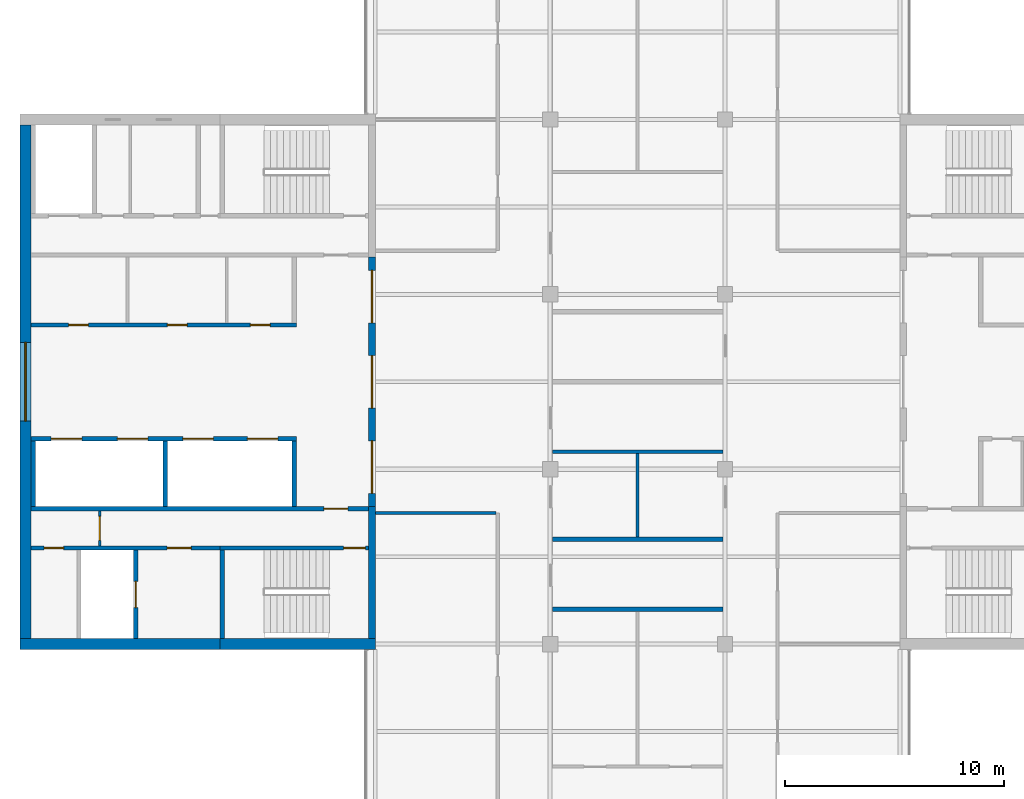
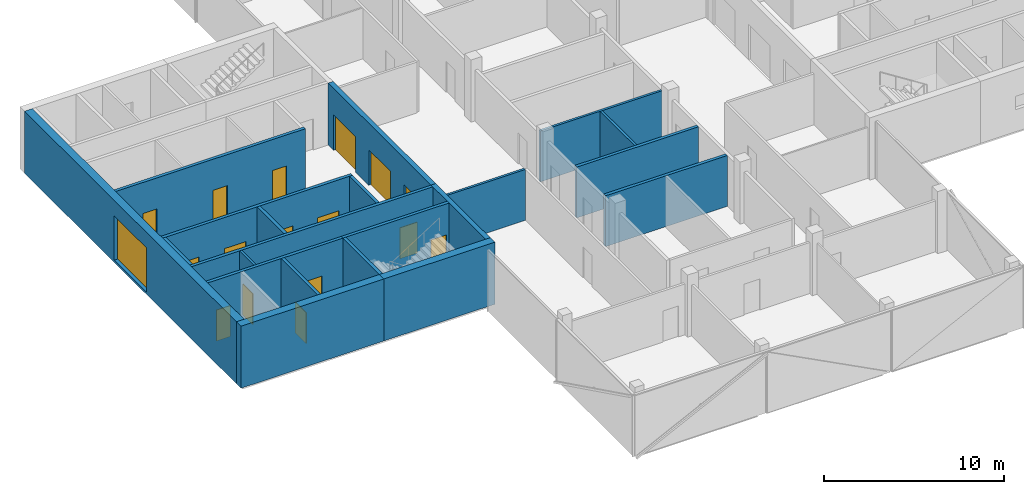
# One storey, part 9 of 16: 21 walls, 16 doors, 1 window, 17 openings.
"""IFC4 building model written with IfcOpenShell, lengths in metres."""

from ifc_helpers import new_model, si_unit, direction, frame, frame_2d, origin, place, context, subcontext, project, spatial, rectangle, extrude, material, layer, layer_set, constituent, constituent_set, type_object, element, fill, save


model = new_model("IFC4")

# Units and contexts
model_context = context("Model", 3, precision=1e-05, world=origin(), true_north=direction((0.0, 1.0)))
body_context = subcontext(model_context, "Body", "Model", "MODEL_VIEW")
ifc_project = project(units=[si_unit("LENGTHUNIT", "METRE"), si_unit("AREAUNIT", "SQUARE_METRE"), si_unit("VOLUMEUNIT", "CUBIC_METRE"), si_unit("PLANEANGLEUNIT", "RADIAN"), si_unit("MASSUNIT", "GRAM", prefix="KILO")], contexts=[model_context])

# Site, building, storey
site_placement = place(None, origin())
site = spatial("IfcSite", under=ifc_project, at=site_placement, CompositionType="ELEMENT")
building_placement = place(site_placement, origin())
building = spatial("IfcBuilding", under=site, at=building_placement, Name="Crosswind Convention Tower", CompositionType="ELEMENT")
storey_placement = place(building_placement, frame((0.0, 0.0, 249.300048828125)))
storey = spatial("IfcBuildingStorey", under=building, at=storey_placement, Name="L53", CompositionType="ELEMENT", Elevation=249.300048828125)

# Walls
ifc_material_1 = material(Name="Concrete blockwork", Category="masonry")
ifc_layer_1 = layer(ifc_material_1, 0.199951171875)
ifc_layer_set_1 = layer_set([ifc_layer_1], Name="COMPARTMENT WALL 200 BLOCKWORK")
wall_type_1 = type_object("IfcWallType", Name="COMPARTMENT WALL 200 BLOCKWORK", PredefinedType="SOLIDWALL", material=ifc_layer_set_1)
for number, where, z_axis, x_axis, name in (
    (1, (121.10009765625, 89.60009765625, 0.0), (0.0, 0.0, 1.0), (1.0, 0.0, 0.0), "Compartment wall WT42"),
    (2, (121.10009765625, 92.800048828125, 0.0), (0.0, 0.0, 1.0), (1.0, 0.0, 0.0), "Compartment wall WT42"),
):
    element("IfcWall", number, at=place(storey_placement, frame(where, z_axis=z_axis, x_axis=x_axis)), inside=storey, type_object=wall_type_1, Name=name, PredefinedType="SOLIDWALL", context=body_context, shape_type="SweptSolid", body=[
        extrude(rectangle(XDim=7.7998046875, YDim=0.199951171875, at=frame_2d((3.89990234375, 0.0))), origin(), (0.0, 0.0, 1.0), 3.44287109375),
    ])

# Wall, openings, doors
ifc_material_2 = material(Name="Concrete C50/60", Category="concrete")
ifc_layer_2 = layer(ifc_material_2, 0.300048828125)
ifc_layer_set_2 = layer_set([ifc_layer_2], Name="Concrete C50/60")
wall_type_2 = type_object("IfcWallType", Name="Concrete inner core wall 300", PredefinedType="SHEAR", material=ifc_layer_set_2)
wall_1_placement = place(storey_placement, frame((112.85009765625, 105.699951171875, 0.0), z_axis=(0.0, 0.0, 1.0), x_axis=(0.0, -1.0, 0.0)))
wall_1 = element("IfcWall", 3, at=wall_1_placement, inside=storey, type_object=wall_type_2, Name="Wall SCR W L53", PredefinedType="SHEAR", context=body_context, shape_type="SweptSolid", body=[
    extrude(rectangle(XDim=11.39990234375, YDim=0.300048828125, at=frame_2d((5.699951171875, 0.0))), origin(), (0.0, 0.0, 1.0), 4.199951171875),
])
opening_1_placement = place(wall_1_placement, frame((0.60009765625, 0.0, 0.0)))
opening_1 = element("IfcOpeningElement", 4, at=opening_1_placement, cuts=wall_1, Name="Opening D100", PredefinedType="OPENING", context=body_context, shape_type="SweptSolid", body=[
    extrude(rectangle(XDim=2.39990234375, YDim=2.39990234375, at=frame_2d((1.199951171875, 1.199951171875))), frame((0.0, 0.159912109375, 0.0), z_axis=(0.0, -1.0, 0.0), x_axis=(1.0, 0.0, 0.0)), (0.0, 0.0, 1.0), 0.320068359375),
])
opening_2_placement = place(wall_1_placement, frame((4.5, 0.0, 0.0)))
opening_2 = element("IfcOpeningElement", 5, at=opening_2_placement, cuts=wall_1, Name="Opening D100", PredefinedType="OPENING", context=body_context, shape_type="SweptSolid", body=[
    extrude(rectangle(XDim=2.39990234375, YDim=2.39990234375, at=frame_2d((1.199951171875, 1.199951171875))), frame((0.0, 0.159912109375, 0.0), z_axis=(0.0, -1.0, 0.0), x_axis=(1.0, 0.0, 0.0)), (0.0, 0.0, 1.0), 0.320068359375),
])
opening_3_placement = place(wall_1_placement, frame((8.39990234375, 0.0, 0.0)))
opening_3 = element("IfcOpeningElement", 6, at=opening_3_placement, cuts=wall_1, Name="Opening D100", PredefinedType="OPENING", context=body_context, shape_type="SweptSolid", body=[
    extrude(rectangle(XDim=2.39990234375, YDim=2.39990234375, at=frame_2d((1.199951171875, 1.199951171875))), frame((0.0, 0.159912109375, 0.0), z_axis=(0.0, -1.0, 0.0), x_axis=(1.0, 0.0, 0.0)), (0.0, 0.0, 1.0), 0.320068359375),
])
ifc_material_3 = material(Name="Steel fire door with glazed vision panels", Category="steel")
door_type_1 = type_object("IfcDoorType", Name="Fire-rated double door 2400x2400", OperationType="DOUBLE_DOOR_SINGLE_SWING", PredefinedType="DOOR", material=ifc_material_3)
door_1_placement = place(opening_1_placement, origin())
door_1 = element("IfcDoor", 7, at=door_1_placement, inside=storey, type_object=door_type_1, Name="Lobby door 1 L53", ObjectType="D100", OperationType="DOUBLE_DOOR_SINGLE_SWING", OverallHeight=2.39990234375, OverallWidth=2.39990234375, PredefinedType="DOOR", context=body_context, shape_type="SweptSolid", body=[
    extrude(rectangle(XDim=2.39990234375, YDim=2.39990234375, at=frame_2d((1.199951171875, 1.199951171875))), frame((0.0, 0.02490234375, 0.0), z_axis=(0.0, -1.0, 0.0), x_axis=(1.0, 0.0, 0.0)), (0.0, 0.0, 1.0), 0.050048828125),
])
fill(opening_1, door_1)
door_2_placement = place(opening_2_placement, origin())
door_2 = element("IfcDoor", 8, at=door_2_placement, inside=storey, type_object=door_type_1, Name="Lobby door 2 L53", ObjectType="D100", OperationType="DOUBLE_DOOR_SINGLE_SWING", OverallHeight=2.39990234375, OverallWidth=2.39990234375, PredefinedType="DOOR", context=body_context, shape_type="SweptSolid", body=[
    extrude(rectangle(XDim=2.39990234375, YDim=2.39990234375, at=frame_2d((1.199951171875, 1.199951171875))), frame((0.0, 0.02490234375, 0.0), z_axis=(0.0, -1.0, 0.0), x_axis=(1.0, 0.0, 0.0)), (0.0, 0.0, 1.0), 0.050048828125),
])
fill(opening_2, door_2)
door_3_placement = place(opening_3_placement, origin())
door_3 = element("IfcDoor", 9, at=door_3_placement, inside=storey, type_object=door_type_1, Name="Lobby door 3 L53", ObjectType="D100", OperationType="DOUBLE_DOOR_SINGLE_SWING", OverallHeight=2.39990234375, OverallWidth=2.39990234375, PredefinedType="DOOR", context=body_context, shape_type="SweptSolid", body=[
    extrude(rectangle(XDim=2.39990234375, YDim=2.39990234375, at=frame_2d((1.199951171875, 1.199951171875))), frame((0.0, 0.02490234375, 0.0), z_axis=(0.0, -1.0, 0.0), x_axis=(1.0, 0.0, 0.0)), (0.0, 0.0, 1.0), 0.050048828125),
])
fill(opening_3, door_3)

# Walls
wall_2_placement = place(storey_placement, frame((112.85009765625, 94.300048828125, 0.0), z_axis=(0.0, 0.0, 1.0), x_axis=(0.0, -1.0, 0.0)))
element("IfcWall", 10, at=wall_2_placement, inside=storey, type_object=wall_type_2, Name="Wall EP W L53", PredefinedType="SHEAR", context=body_context, shape_type="SweptSolid", body=[
    extrude(rectangle(XDim=6.050048828125, YDim=0.300048828125, at=frame_2d((3.02490234375, 0.0))), origin(), (0.0, 0.0, 1.0), 4.199951171875),
])
ifc_layer_3 = layer(ifc_material_2, 0.199951171875)
ifc_layer_set_3 = layer_set([ifc_layer_3], Name="Concrete C50/60")
wall_type_3 = type_object("IfcWallType", Name="Concrete shaft and stair wall 200", PredefinedType="SHEAR", material=ifc_layer_set_3)
for number, where, z_axis, x_axis, name in (
    (11, (109.300048828125, 97.300048828125, 0.0), (0.0, 0.0, 1.0), (0.0, -1.0, 0.0), "Wall RPEND W L53"),
    (12, (103.39990234375, 97.300048828125, 0.0), (0.0, 0.0, 1.0), (0.0, -1.0, 0.0), "Wall RPSEP W L53"),
    (13, (97.35009765625, 97.300048828125, 0.0), (0.0, 0.0, 1.0), (0.0, -1.0, 0.0), "Wall RPEAST W L53"),
):
    element("IfcWall", number, at=place(storey_placement, frame(where, z_axis=z_axis, x_axis=x_axis)), inside=storey, type_object=wall_type_3, Name=name, PredefinedType="SHEAR", context=body_context, shape_type="SweptSolid", body=[
        extrude(rectangle(XDim=3.0, YDim=0.199951171875, at=frame_2d((1.5, 0.0))), origin(), (0.0, 0.0, 1.0), 4.199951171875),
    ])

# Wall, openings, doors
wall_3_placement = place(storey_placement, frame((109.39990234375, 97.39990234375, 0.0), z_axis=(0.0, 0.0, 1.0), x_axis=(-1.0, 0.0, 0.0)))
wall_3 = element("IfcWall", 14, at=wall_3_placement, inside=storey, type_object=wall_type_3, Name="Wall RPFRONT W L53", PredefinedType="SHEAR", context=body_context, shape_type="SweptSolid", body=[
    extrude(rectangle(XDim=12.14990234375, YDim=0.199951171875, at=frame_2d((6.074951171875, 0.0))), origin(), (0.0, 0.0, 1.0), 4.199951171875),
])
opening_4_placement = place(wall_3_placement, frame((0.85009765625, 0.0, 0.0)))
opening_4 = element("IfcOpeningElement", 15, at=opening_4_placement, cuts=wall_3, Name="Opening LD2", PredefinedType="OPENING", context=body_context, shape_type="SweptSolid", body=[
    extrude(rectangle(XDim=1.39990234375, YDim=2.10009765625, at=frame_2d((0.699951171875, 1.050048828125))), frame((0.0, 0.10986328125, 0.0), z_axis=(0.0, -1.0, 0.0), x_axis=(1.0, 0.0, 0.0)), (0.0, 0.0, 1.0), 0.219970703125),
])
opening_5_placement = place(wall_3_placement, frame((3.800048828125, 0.0, 0.0)))
opening_5 = element("IfcOpeningElement", 16, at=opening_5_placement, cuts=wall_3, Name="Opening LD2", PredefinedType="OPENING", context=body_context, shape_type="SweptSolid", body=[
    extrude(rectangle(XDim=1.39990234375, YDim=2.10009765625, at=frame_2d((0.699951171875, 1.050048828125))), frame((0.0, 0.10986328125, 0.0), z_axis=(0.0, -1.0, 0.0), x_axis=(1.0, 0.0, 0.0)), (0.0, 0.0, 1.0), 0.219970703125),
])
opening_6_placement = place(wall_3_placement, frame((6.800048828125, 0.0, 0.0)))
opening_6 = element("IfcOpeningElement", 17, at=opening_6_placement, cuts=wall_3, Name="Opening LD2", PredefinedType="OPENING", context=body_context, shape_type="SweptSolid", body=[
    extrude(rectangle(XDim=1.39990234375, YDim=2.10009765625, at=frame_2d((0.699951171875, 1.050048828125))), frame((0.0, 0.10986328125, 0.0), z_axis=(0.0, -1.0, 0.0), x_axis=(1.0, 0.0, 0.0)), (0.0, 0.0, 1.0), 0.219970703125),
])
opening_7_placement = place(wall_3_placement, frame((9.824951171875, 0.0, 0.0)))
opening_7 = element("IfcOpeningElement", 18, at=opening_7_placement, cuts=wall_3, Name="Opening LD2", PredefinedType="OPENING", context=body_context, shape_type="SweptSolid", body=[
    extrude(rectangle(XDim=1.39990234375, YDim=2.10009765625, at=frame_2d((0.699951171875, 1.050048828125))), frame((0.0, 0.10986328125, 0.0), z_axis=(0.0, -1.0, 0.0), x_axis=(1.0, 0.0, 0.0)), (0.0, 0.0, 1.0), 0.219970703125),
])
ifc_material_4 = material(Name="Stainless steel", Category="steel")
door_type_2 = type_object("IfcDoorType", Name="Lift landing door 1400x2100", OperationType="DOUBLE_DOOR_SLIDING", PredefinedType="DOOR", material=ifc_material_4)
door_4_placement = place(opening_4_placement, origin())
door_4 = element("IfcDoor", 19, at=door_4_placement, inside=storey, type_object=door_type_2, Name="Landing door HR1 L53", ObjectType="LD2", OperationType="DOUBLE_DOOR_SLIDING", OverallHeight=2.10009765625, OverallWidth=1.39990234375, PredefinedType="DOOR", context=body_context, shape_type="SweptSolid", body=[
    extrude(rectangle(XDim=1.39990234375, YDim=2.10009765625, at=frame_2d((0.699951171875, 1.050048828125))), frame((0.0, 0.02490234375, 0.0), z_axis=(0.0, -1.0, 0.0), x_axis=(1.0, 0.0, 0.0)), (0.0, 0.0, 1.0), 0.050048828125),
])
fill(opening_4, door_4)
door_5_placement = place(opening_5_placement, origin())
door_5 = element("IfcDoor", 20, at=door_5_placement, inside=storey, type_object=door_type_2, Name="Landing door HR2 L53", ObjectType="LD2", OperationType="DOUBLE_DOOR_SLIDING", OverallHeight=2.10009765625, OverallWidth=1.39990234375, PredefinedType="DOOR", context=body_context, shape_type="SweptSolid", body=[
    extrude(rectangle(XDim=1.39990234375, YDim=2.10009765625, at=frame_2d((0.699951171875, 1.050048828125))), frame((0.0, 0.02490234375, 0.0), z_axis=(0.0, -1.0, 0.0), x_axis=(1.0, 0.0, 0.0)), (0.0, 0.0, 1.0), 0.050048828125),
])
fill(opening_5, door_5)
door_6_placement = place(opening_6_placement, origin())
door_6 = element("IfcDoor", 21, at=door_6_placement, inside=storey, type_object=door_type_2, Name="Landing door HR3 L53", ObjectType="LD2", OperationType="DOUBLE_DOOR_SLIDING", OverallHeight=2.10009765625, OverallWidth=1.39990234375, PredefinedType="DOOR", context=body_context, shape_type="SweptSolid", body=[
    extrude(rectangle(XDim=1.39990234375, YDim=2.10009765625, at=frame_2d((0.699951171875, 1.050048828125))), frame((0.0, 0.02490234375, 0.0), z_axis=(0.0, -1.0, 0.0), x_axis=(1.0, 0.0, 0.0)), (0.0, 0.0, 1.0), 0.050048828125),
])
fill(opening_6, door_6)
door_7_placement = place(opening_7_placement, origin())
door_7 = element("IfcDoor", 22, at=door_7_placement, inside=storey, type_object=door_type_2, Name="Landing door HR4 L53", ObjectType="LD2", OperationType="DOUBLE_DOOR_SLIDING", OverallHeight=2.10009765625, OverallWidth=1.39990234375, PredefinedType="DOOR", context=body_context, shape_type="SweptSolid", body=[
    extrude(rectangle(XDim=1.39990234375, YDim=2.10009765625, at=frame_2d((0.699951171875, 1.050048828125))), frame((0.0, 0.02490234375, 0.0), z_axis=(0.0, -1.0, 0.0), x_axis=(1.0, 0.0, 0.0)), (0.0, 0.0, 1.0), 0.050048828125),
])
fill(opening_7, door_7)

wall_4_placement = place(storey_placement, frame((109.39990234375, 102.60009765625, 0.0), z_axis=(0.0, 0.0, 1.0), x_axis=(-1.0, 0.0, 0.0)))
wall_4 = element("IfcWall", 23, at=wall_4_placement, inside=storey, type_object=wall_type_3, Name="Wall RMFRONT W L53", PredefinedType="SHEAR", context=body_context, shape_type="SweptSolid", body=[
    extrude(rectangle(XDim=12.14990234375, YDim=0.199951171875, at=frame_2d((6.074951171875, 0.0))), origin(), (0.0, 0.0, 1.0), 4.199951171875),
])
opening_8_placement = place(wall_4_placement, frame((1.21240234375, 0.0, 0.0)))
opening_8 = element("IfcOpeningElement", 24, at=opening_8_placement, cuts=wall_4, Name="Opening D106", PredefinedType="OPENING", context=body_context, shape_type="SweptSolid", body=[
    extrude(rectangle(XDim=0.89990234375, YDim=2.10009765625, at=frame_2d((0.449951171875, 1.050048828125))), frame((0.0, 0.10986328125, 0.0), z_axis=(0.0, -1.0, 0.0), x_axis=(1.0, 0.0, 0.0)), (0.0, 0.0, 1.0), 0.219970703125),
])
opening_9_placement = place(wall_4_placement, frame((5.008056640625, 0.0, 0.0)))
opening_9 = element("IfcOpeningElement", 25, at=opening_9_placement, cuts=wall_4, Name="Opening D106", PredefinedType="OPENING", context=body_context, shape_type="SweptSolid", body=[
    extrude(rectangle(XDim=0.89990234375, YDim=2.10009765625, at=frame_2d((0.449951171875, 1.050048828125))), frame((0.0, 0.10986328125, 0.0), z_axis=(0.0, -1.0, 0.0), x_axis=(1.0, 0.0, 0.0)), (0.0, 0.0, 1.0), 0.219970703125),
])
opening_10_placement = place(wall_4_placement, frame((9.5205078125, 0.0, 0.0)))
opening_10 = element("IfcOpeningElement", 26, at=opening_10_placement, cuts=wall_4, Name="Opening D106", PredefinedType="OPENING", context=body_context, shape_type="SweptSolid", body=[
    extrude(rectangle(XDim=0.89990234375, YDim=2.10009765625, at=frame_2d((0.449951171875, 1.050048828125))), frame((0.0, 0.10986328125, 0.0), z_axis=(0.0, -1.0, 0.0), x_axis=(1.0, 0.0, 0.0)), (0.0, 0.0, 1.0), 0.219970703125),
])
ifc_material_5 = material(Name="Timber door", Category="wood")
door_type_3 = type_object("IfcDoorType", Name="Single leaf door 900x2100", OperationType="NOTDEFINED", PredefinedType="DOOR", material=ifc_material_5)
door_8_placement = place(opening_8_placement, frame((0.89990234375, 0.0, 0.0), z_axis=(0.0, 0.0, 1.0), x_axis=(-1.0, 0.0, 0.0)))
door_8 = element("IfcDoor", 27, at=door_8_placement, inside=storey, type_object=door_type_3, Name="Door to copy and print room L53", ObjectType="D106", OperationType="SINGLE_SWING_LEFT", OverallHeight=2.10009765625, OverallWidth=0.89990234375, PredefinedType="DOOR", context=body_context, shape_type="SweptSolid", body=[
    extrude(rectangle(XDim=0.89990234375, YDim=2.10009765625, at=frame_2d((0.449951171875, 1.050048828125))), frame((0.0, 0.02490234375, 0.0), z_axis=(0.0, -1.0, 0.0), x_axis=(1.0, 0.0, 0.0)), (0.0, 0.0, 1.0), 0.050048828125),
])
fill(opening_8, door_8)
door_9_placement = place(opening_9_placement, frame((0.89990234375, 0.0, 0.0), z_axis=(0.0, 0.0, 1.0), x_axis=(-1.0, 0.0, 0.0)))
door_9 = element("IfcDoor", 28, at=door_9_placement, inside=storey, type_object=door_type_3, Name="Door to meeting room L53", ObjectType="D106", OperationType="SINGLE_SWING_LEFT", OverallHeight=2.10009765625, OverallWidth=0.89990234375, PredefinedType="DOOR", context=body_context, shape_type="SweptSolid", body=[
    extrude(rectangle(XDim=0.89990234375, YDim=2.10009765625, at=frame_2d((0.449951171875, 1.050048828125))), frame((0.0, 0.02490234375, 0.0), z_axis=(0.0, -1.0, 0.0), x_axis=(1.0, 0.0, 0.0)), (0.0, 0.0, 1.0), 0.050048828125),
])
fill(opening_9, door_9)
door_10_placement = place(opening_10_placement, frame((0.89990234375, 0.0, 0.0), z_axis=(0.0, 0.0, 1.0), x_axis=(-1.0, 0.0, 0.0)))
door_10 = element("IfcDoor", 29, at=door_10_placement, inside=storey, type_object=door_type_3, Name="Door to pantry L53", ObjectType="D106", OperationType="SINGLE_SWING_LEFT", OverallHeight=2.10009765625, OverallWidth=0.89990234375, PredefinedType="DOOR", context=body_context, shape_type="SweptSolid", body=[
    extrude(rectangle(XDim=0.89990234375, YDim=2.10009765625, at=frame_2d((0.449951171875, 1.050048828125))), frame((0.0, 0.02490234375, 0.0), z_axis=(0.0, -1.0, 0.0), x_axis=(1.0, 0.0, 0.0)), (0.0, 0.0, 1.0), 0.050048828125),
])
fill(opening_10, door_10)

# Wall, opening, door
wall_5_placement = place(storey_placement, frame((112.699951171875, 94.199951171875, 0.0), z_axis=(0.0, 0.0, 1.0), x_axis=(-1.0, 0.0, 0.0)))
wall_5 = element("IfcWall", 30, at=wall_5_placement, inside=storey, type_object=wall_type_3, Name="Wall HP W L53", PredefinedType="SHEAR", context=body_context, shape_type="SweptSolid", body=[
    extrude(rectangle(XDim=15.449951171875, YDim=0.199951171875, at=frame_2d((7.72509765625, 0.0))), origin(), (0.0, 0.0, 1.0), 4.199951171875),
])
opening_11_placement = place(wall_5_placement, frame((0.949951171875, 0.0, 0.0)))
opening_11 = element("IfcOpeningElement", 31, at=opening_11_placement, cuts=wall_5, Name="Opening D104", PredefinedType="OPENING", context=body_context, shape_type="SweptSolid", body=[
    extrude(rectangle(XDim=1.10009765625, YDim=2.10009765625, at=frame_2d((0.550048828125, 1.050048828125))), frame((0.0, 0.10986328125, 0.0), z_axis=(0.0, -1.0, 0.0), x_axis=(1.0, 0.0, 0.0)), (0.0, 0.0, 1.0), 0.219970703125),
])
ifc_material_6 = material(Name="Steel fire door", Category="steel")
door_type_4 = type_object("IfcDoorType", Name="Fire-rated single door 1100x2100", OperationType="NOTDEFINED", PredefinedType="DOOR", material=ifc_material_6)
door_11_placement = place(opening_11_placement, origin())
door_11 = element("IfcDoor", 32, at=door_11_placement, inside=storey, type_object=door_type_4, Name="Corridor door L53", ObjectType="D104", OperationType="SINGLE_SWING_LEFT", OverallHeight=2.10009765625, OverallWidth=1.10009765625, PredefinedType="DOOR", context=body_context, shape_type="SweptSolid", body=[
    extrude(rectangle(XDim=1.10009765625, YDim=2.10009765625, at=frame_2d((0.550048828125, 1.050048828125))), frame((0.0, 0.02490234375, 0.0), z_axis=(0.0, -1.0, 0.0), x_axis=(1.0, 0.0, 0.0)), (0.0, 0.0, 1.0), 0.050048828125),
])
fill(opening_11, door_11)

# Wall
wall_6_placement = place(storey_placement, frame((106.0, 92.300048828125, 0.0), z_axis=(0.0, 0.0, 1.0), x_axis=(0.0, -1.0, 0.0)))
element("IfcWall", 33, at=wall_6_placement, inside=storey, type_object=wall_type_3, Name="Wall PSE W L53", PredefinedType="SHEAR", context=body_context, shape_type="SweptSolid", body=[
    extrude(rectangle(XDim=4.050048828125, YDim=0.199951171875, at=frame_2d((2.02490234375, 0.0))), origin(), (0.0, 0.0, 1.0), 4.199951171875),
])

# Wall, opening, door
wall_7_placement = place(storey_placement, frame((102.050048828125, 92.300048828125, 0.0), z_axis=(0.0, 0.0, 1.0), x_axis=(0.0, -1.0, 0.0)))
wall_7 = element("IfcWall", 34, at=wall_7_placement, inside=storey, type_object=wall_type_3, Name="Wall PFLW W L53", PredefinedType="SHEAR", context=body_context, shape_type="SweptSolid", body=[
    extrude(rectangle(XDim=4.050048828125, YDim=0.199951171875, at=frame_2d((2.02490234375, 0.0))), origin(), (0.0, 0.0, 1.0), 4.199951171875),
])
opening_12_placement = place(wall_7_placement, frame((1.425048828125, 0.0, 0.0)))
opening_12 = element("IfcOpeningElement", 35, at=opening_12_placement, cuts=wall_7, Name="Opening LD1", PredefinedType="OPENING", context=body_context, shape_type="SweptSolid", body=[
    extrude(rectangle(XDim=1.199951171875, YDim=2.10009765625, at=frame_2d((0.60009765625, 1.050048828125))), frame((0.0, 0.10986328125, 0.0), z_axis=(0.0, -1.0, 0.0), x_axis=(1.0, 0.0, 0.0)), (0.0, 0.0, 1.0), 0.219970703125),
])
door_type_5 = type_object("IfcDoorType", Name="Lift landing door 1200x2100", OperationType="DOUBLE_DOOR_SLIDING", PredefinedType="DOOR", material=ifc_material_4)
door_12_placement = place(opening_12_placement, origin())
door_12 = element("IfcDoor", 36, at=door_12_placement, inside=storey, type_object=door_type_5, Name="Landing door FF2 L53", ObjectType="LD1", OperationType="DOUBLE_DOOR_SLIDING", OverallHeight=2.10009765625, OverallWidth=1.199951171875, PredefinedType="DOOR", context=body_context, shape_type="SweptSolid", body=[
    extrude(rectangle(XDim=1.199951171875, YDim=2.10009765625, at=frame_2d((0.60009765625, 1.050048828125))), frame((0.0, 0.02490234375, 0.0), z_axis=(0.0, -1.0, 0.0), x_axis=(1.0, 0.0, 0.0)), (0.0, 0.0, 1.0), 0.050048828125),
])
fill(opening_12, door_12)

wall_8_placement = place(storey_placement, frame((112.699951171875, 92.39990234375, 0.0), z_axis=(0.0, 0.0, 1.0), x_axis=(-1.0, 0.0, 0.0)))
wall_8 = element("IfcWall", 37, at=wall_8_placement, inside=storey, type_object=wall_type_3, Name="Wall PCW W L53", PredefinedType="SHEAR", context=body_context, shape_type="SweptSolid", body=[
    extrude(rectangle(XDim=6.800048828125, YDim=0.199951171875, at=frame_2d((3.39990234375, 0.0))), origin(), (0.0, 0.0, 1.0), 4.199951171875),
])
opening_13_placement = place(wall_8_placement, frame((0.14990234375, 0.0, 0.0)))
opening_13 = element("IfcOpeningElement", 38, at=opening_13_placement, cuts=wall_8, Name="Opening D103", PredefinedType="OPENING", context=body_context, shape_type="SweptSolid", body=[
    extrude(rectangle(XDim=1.0, YDim=2.10009765625, at=frame_2d((0.5, 1.050048828125))), frame((0.0, 0.10986328125, 0.0), z_axis=(0.0, -1.0, 0.0), x_axis=(1.0, 0.0, 0.0)), (0.0, 0.0, 1.0), 0.219970703125),
])
door_type_6 = type_object("IfcDoorType", Name="Fire-rated single door 1000x2100", OperationType="NOTDEFINED", PredefinedType="DOOR", material=ifc_material_6)
door_13_placement = place(opening_13_placement, origin())
door_13 = element("IfcDoor", 39, at=door_13_placement, inside=storey, type_object=door_type_6, Name="Stair ST3 door L53", ObjectType="D103", OperationType="SINGLE_SWING_LEFT", OverallHeight=2.10009765625, OverallWidth=1.0, PredefinedType="DOOR", context=body_context, shape_type="SweptSolid", body=[
    extrude(rectangle(XDim=1.0, YDim=2.10009765625, at=frame_2d((0.5, 1.050048828125))), frame((0.0, 0.02490234375, 0.0), z_axis=(0.0, -1.0, 0.0), x_axis=(1.0, 0.0, 0.0)), (0.0, 0.0, 1.0), 0.050048828125),
])
fill(opening_13, door_13)

# Wall, openings, doors
wall_9_placement = place(storey_placement, frame((105.89990234375, 92.39990234375, 0.0), z_axis=(0.0, 0.0, 1.0), x_axis=(-1.0, 0.0, 0.0)))
wall_9 = element("IfcWall", 40, at=wall_9_placement, inside=storey, type_object=wall_type_3, Name="Wall PCX W L53", PredefinedType="SHEAR", context=body_context, shape_type="SweptSolid", body=[
    extrude(rectangle(XDim=8.64990234375, YDim=0.199951171875, at=frame_2d((4.324951171875, 0.0))), origin(), (0.0, 0.0, 1.0), 4.199951171875),
])
opening_14_placement = place(wall_9_placement, frame((1.324951171875, 0.0, 0.0)))
opening_14 = element("IfcOpeningElement", 41, at=opening_14_placement, cuts=wall_9, Name="Opening D104", PredefinedType="OPENING", context=body_context, shape_type="SweptSolid", body=[
    extrude(rectangle(XDim=1.10009765625, YDim=2.10009765625, at=frame_2d((0.550048828125, 1.050048828125))), frame((0.0, 0.10986328125, 0.0), z_axis=(0.0, -1.0, 0.0), x_axis=(1.0, 0.0, 0.0)), (0.0, 0.0, 1.0), 0.219970703125),
])
opening_15_placement = place(wall_9_placement, frame((7.14990234375, 0.0, 0.0)))
opening_15 = element("IfcOpeningElement", 42, at=opening_15_placement, cuts=wall_9, Name="Opening D106", PredefinedType="OPENING", context=body_context, shape_type="SweptSolid", body=[
    extrude(rectangle(XDim=0.89990234375, YDim=2.10009765625, at=frame_2d((0.449951171875, 1.050048828125))), frame((0.0, 0.10986328125, 0.0), z_axis=(0.0, -1.0, 0.0), x_axis=(1.0, 0.0, 0.0)), (0.0, 0.0, 1.0), 0.219970703125),
])
door_14_placement = place(opening_14_placement, origin())
door_14 = element("IfcDoor", 43, at=door_14_placement, inside=storey, type_object=door_type_4, Name="Fire-fighting lobby FF2 door L53", ObjectType="D104", OperationType="SINGLE_SWING_RIGHT", OverallHeight=2.10009765625, OverallWidth=1.10009765625, PredefinedType="DOOR", context=body_context, shape_type="SweptSolid", body=[
    extrude(rectangle(XDim=1.10009765625, YDim=2.10009765625, at=frame_2d((0.550048828125, 1.050048828125))), frame((0.0, 0.02490234375, 0.0), z_axis=(0.0, -1.0, 0.0), x_axis=(1.0, 0.0, 0.0)), (0.0, 0.0, 1.0), 0.050048828125),
])
fill(opening_14, door_14)
door_15_placement = place(opening_15_placement, origin())
door_15 = element("IfcDoor", 44, at=door_15_placement, inside=storey, type_object=door_type_3, Name="Door to telecoms room L53", ObjectType="D106", OperationType="SINGLE_SWING_RIGHT", OverallHeight=2.10009765625, OverallWidth=0.89990234375, PredefinedType="DOOR", context=body_context, shape_type="SweptSolid", body=[
    extrude(rectangle(XDim=0.89990234375, YDim=2.10009765625, at=frame_2d((0.449951171875, 1.050048828125))), frame((0.0, 0.02490234375, 0.0), z_axis=(0.0, -1.0, 0.0), x_axis=(1.0, 0.0, 0.0)), (0.0, 0.0, 1.0), 0.050048828125),
])
fill(opening_15, door_15)

# Wall, opening, door
ifc_material_7 = material(Name="Gypsum plasterboard partition", Category="gypsum")
ifc_layer_4 = layer(ifc_material_7, 0.125)
ifc_layer_set_4 = layer_set([ifc_layer_4], Name="Drywall partition wall 125")
wall_type_4 = type_object("IfcWallType", Name="Drywall partition wall 125", PredefinedType="PARTITIONING", material=ifc_layer_set_4)
wall_10_placement = place(storey_placement, frame((100.39990234375, 94.10009765625, 0.0), z_axis=(0.0, 0.0, 1.0), x_axis=(0.0, -1.0, 0.0)))
wall_10 = element("IfcWall", 45, at=wall_10_placement, inside=storey, type_object=wall_type_4, Name="Wall PXC1 W L53", PredefinedType="PARTITIONING", context=body_context, shape_type="SweptSolid", body=[
    extrude(rectangle(XDim=1.60009765625, YDim=0.125, at=frame_2d((0.800048828125, 0.0))), origin(), (0.0, 0.0, 1.0), 4.199951171875),
])
opening_16_placement = place(wall_10_placement, frame((0.25, 0.0, 0.0)))
opening_16 = element("IfcOpeningElement", 46, at=opening_16_placement, cuts=wall_10, Name="Opening D104", PredefinedType="OPENING", context=body_context, shape_type="SweptSolid", body=[
    extrude(rectangle(XDim=1.10009765625, YDim=2.10009765625, at=frame_2d((0.550048828125, 1.050048828125))), frame((0.0, 0.072509765625, 0.0), z_axis=(0.0, -1.0, 0.0), x_axis=(1.0, 0.0, 0.0)), (0.0, 0.0, 1.0), 0.14501953125),
])
door_16_placement = place(opening_16_placement, origin())
door_16 = element("IfcDoor", 47, at=door_16_placement, inside=storey, type_object=door_type_4, Name="Corridor smoke door L53", ObjectType="D104", OperationType="SINGLE_SWING_RIGHT", OverallHeight=2.10009765625, OverallWidth=1.10009765625, PredefinedType="DOOR", context=body_context, shape_type="SweptSolid", body=[
    extrude(rectangle(XDim=1.10009765625, YDim=2.10009765625, at=frame_2d((0.550048828125, 1.050048828125))), frame((0.0, 0.02490234375, 0.0), z_axis=(0.0, -1.0, 0.0), x_axis=(1.0, 0.0, 0.0)), (0.0, 0.0, 1.0), 0.050048828125),
])
fill(opening_16, door_16)

# Walls
ifc_material_8 = material(Name="Fire-board partition with mineral wool", Category="gypsum")
ifc_layer_5 = layer(ifc_material_8, 0.14990234375)
ifc_layer_set_5 = layer_set([ifc_layer_5], Name="TENANCY WALL 150 TWO-HOUR BOARD")
wall_type_5 = type_object("IfcWallType", Name="TENANCY WALL 150 TWO-HOUR BOARD", PredefinedType="PARTITIONING", material=ifc_layer_set_5)
wall_11_placement = place(storey_placement, frame((125.0, 92.89990234375, 0.0), z_axis=(0.0, 0.0, 1.0), x_axis=(0.0, 1.0, 0.0)))
element("IfcWall", 48, at=wall_11_placement, inside=storey, type_object=wall_type_5, Name="Tenancy wall WT41", PredefinedType="PARTITIONING", context=body_context, shape_type="SweptSolid", body=[
    extrude(rectangle(XDim=3.8251953125, YDim=0.14990234375, at=frame_2d((1.91259765625, 0.0))), origin(), (0.0, 0.0, 1.0), 3.44287109375),
])
wall_12_placement = place(storey_placement, frame((113.0, 94.0, 0.0), z_axis=(0.0, 0.0, 1.0), x_axis=(1.0, 0.0, 0.0)))
element("IfcWall", 49, at=wall_12_placement, inside=storey, type_object=wall_type_5, Name="Tenancy wall WT41", PredefinedType="PARTITIONING", context=body_context, shape_type="SweptSolid", body=[
    extrude(rectangle(XDim=5.52490234375, YDim=0.14990234375, at=frame_2d((2.762451171875, 0.0))), origin(), (0.0, 0.0, 1.0), 3.44287109375),
])
wall_13_placement = place(storey_placement, frame((121.10009765625, 96.800048828125, 0.0), z_axis=(0.0, 0.0, 1.0), x_axis=(1.0, 0.0, 0.0)))
element("IfcWall", 50, at=wall_13_placement, inside=storey, type_object=wall_type_5, Name="Tenancy wall WT41", PredefinedType="PARTITIONING", context=body_context, shape_type="SweptSolid", body=[
    extrude(rectangle(XDim=7.7998046875, YDim=0.14990234375, at=frame_2d((3.89990234375, 0.0))), origin(), (0.0, 0.0, 1.0), 3.44287109375),
])
ifc_material_9 = material(Name="Concrete C60/75", Category="concrete")
ifc_constituent_1 = constituent(ifc_material_9, Name="Structure")
ifc_material_10 = material(Name="Terracotta rainscreen", Category="ceramic")
ifc_constituent_2 = constituent(ifc_material_10, Name="Facing")
ifc_constituent_set = constituent_set(constituents=[ifc_constituent_1, ifc_constituent_2], Name="Concrete C60/75, Terracotta rainscreen")
wall_type_6 = type_object("IfcWallType", Name="Terracotta rainscreen on concrete core wall 500", PredefinedType="SHEAR", material=ifc_constituent_set)
wall_14_placement = place(storey_placement, frame((113.0, 88.0, 0.0), z_axis=(0.0, 0.0, 1.0), x_axis=(-1.0, 0.0, 0.0)))
element("IfcWall", 51, at=wall_14_placement, inside=storey, type_object=wall_type_6, Name="Wall N1 W L53", PredefinedType="SHEAR", context=body_context, shape_type="SweptSolid", body=[
    extrude(rectangle(XDim=7.10009765625, YDim=0.5, at=frame_2d((3.550048828125, 0.0))), origin(), (0.0, 0.0, 1.0), 4.199951171875),
])
wall_15_placement = place(storey_placement, frame((105.89990234375, 88.0, 0.0), z_axis=(0.0, 0.0, 1.0), x_axis=(-1.0, 0.0, 0.0)))
element("IfcWall", 52, at=wall_15_placement, inside=storey, type_object=wall_type_6, Name="Wall N2 W L53", PredefinedType="SHEAR", context=body_context, shape_type="SweptSolid", body=[
    extrude(rectangle(XDim=9.14990234375, YDim=0.5, at=frame_2d((4.574951171875, 0.0))), origin(), (0.0, 0.0, 1.0), 4.199951171875),
])

# Wall, opening, window
wall_16_placement = place(storey_placement, frame((97.0, 111.75, 0.0), z_axis=(0.0, 0.0, 1.0), x_axis=(0.0, -1.0, 0.0)))
wall_16 = element("IfcWall", 53, at=wall_16_placement, inside=storey, type_object=wall_type_6, Name="Wall O W L53", PredefinedType="SHEAR", context=body_context, shape_type="SweptSolid", body=[
    extrude(rectangle(XDim=23.5, YDim=0.5, at=frame_2d((11.75, 0.0))), origin(), (0.0, 0.0, 1.0), 4.199951171875),
])
opening_17_placement = place(wall_16_placement, frame((9.949951171875, 0.0, 0.14990234375)))
opening_17 = element("IfcOpeningElement", 54, at=opening_17_placement, cuts=wall_16, Name="Opening W1", PredefinedType="OPENING", context=body_context, shape_type="SweptSolid", body=[
    extrude(rectangle(XDim=3.60009765625, YDim=3.0, at=frame_2d((1.800048828125, 1.5))), frame((0.0, 0.260009765625, 0.0), z_axis=(0.0, -1.0, 0.0), x_axis=(1.0, 0.0, 0.0)), (0.0, 0.0, 1.0), 0.52001953125),
])
ifc_material_11 = material(Name="Clear laminated glass in aluminium frame", Category="aluminium")
window_type = type_object("IfcWindowType", Name="Lobby end window 3600x3000", PartitioningType="SINGLE_PANEL", PredefinedType="WINDOW", material=ifc_material_11)
window_placement = place(opening_17_placement, origin())
window = element("IfcWindow", 55, at=window_placement, inside=storey, type_object=window_type, Name="Lobby end window L53", ObjectType="W1", OverallHeight=3.0, OverallWidth=3.60009765625, PartitioningType="SINGLE_PANEL", PredefinedType="WINDOW", context=body_context, shape_type="SweptSolid", body=[
    extrude(rectangle(XDim=3.60009765625, YDim=3.0, at=frame_2d((1.800048828125, 1.5))), frame((0.0, 0.030029296875, 0.0), z_axis=(0.0, -1.0, 0.0), x_axis=(1.0, 0.0, 0.0)), (0.0, 0.0, 1.0), 0.06005859375),
])
fill(opening_17, window)

save(model, "model.ifc")
